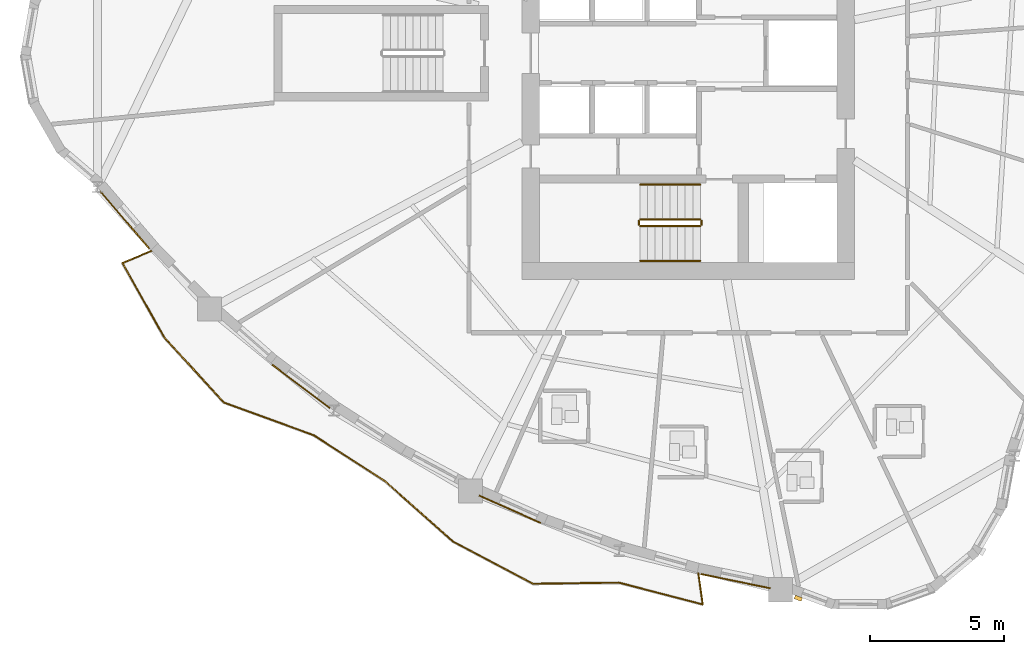
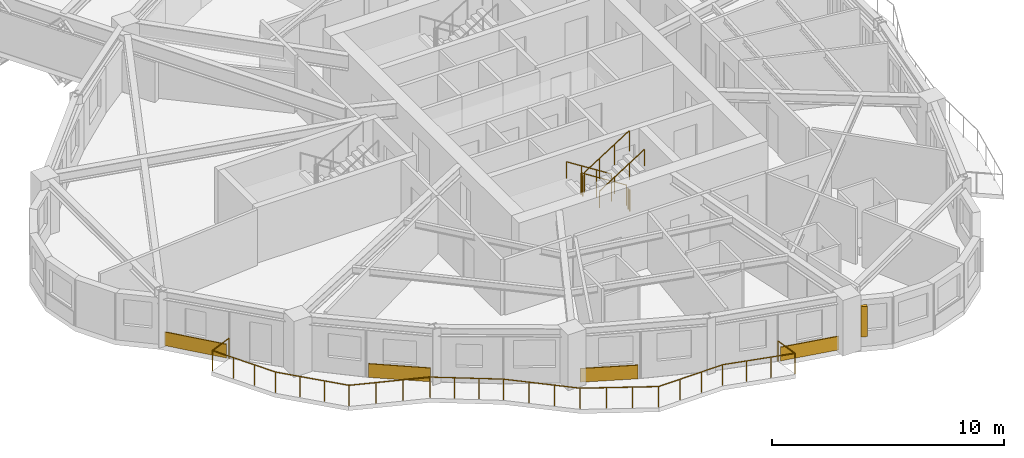
# One storey, part 11 of 14: 7 railings, 4 coverings, 1 shading device.
"""IFC4 building model written with IfcOpenShell, lengths in metres."""

from ifc_helpers import new_model, si_unit, direction, frame, origin, origin_2d, place, context, subcontext, project, spatial, rectangle, circle, extrude, source, transform, mapped, material, layer, layer_set, type_object, element, save


model = new_model("IFC4")

# Units and contexts
model_context = context("Model", 3, precision=1e-05, world=origin(), true_north=direction((0.0, 1.0)))
body_context = subcontext(model_context, "Body", "Model", "MODEL_VIEW")
ifc_project = project(units=[si_unit("LENGTHUNIT", "METRE"), si_unit("AREAUNIT", "SQUARE_METRE"), si_unit("VOLUMEUNIT", "CUBIC_METRE"), si_unit("PLANEANGLEUNIT", "RADIAN"), si_unit("MASSUNIT", "GRAM", prefix="KILO")], contexts=[model_context])

# Site, building, storey
site_placement = place(None, origin())
site = spatial("IfcSite", under=ifc_project, at=site_placement, CompositionType="ELEMENT")
building_placement = place(site_placement, origin())
building = spatial("IfcBuilding", under=site, at=building_placement, Name="Qafzar Sky-Pleat Residences", CompositionType="ELEMENT")
storey_placement = place(building_placement, frame((0.0, 0.0, 83.199951171875)))
storey = spatial("IfcBuildingStorey", under=building, at=storey_placement, Name="L24", CompositionType="ELEMENT", Elevation=83.199951171875)

# Shading device
ifc_material_1 = material(Name="Honed Riyadh limestone solar fin", Category="masonry")
ifc_layer_1 = layer(ifc_material_1, 0.139892578125)
ifc_layer_set_1 = layer_set([ifc_layer_1], Name="Honed Riyadh limestone solar fin")
shading_device_type = type_object("IfcShadingDeviceType", Name="SHD-FIN-STONE", PredefinedType="SHUTTER", material=ifc_layer_set_1)
shared_shape_1 = source(origin(), body_context, "Body", "SweptSolid", [
    extrude(rectangle(XDim=0.139892578125, YDim=0.280029296875, at=origin_2d()), origin(), (0.0, 0.0, 1.0), 1.60009765625),
])
shading_device_placement = place(storey_placement, frame((34.455810546875, 5.665283203125, 0.60009765625), z_axis=(0.0, 0.0, 1.0), x_axis=(-0.349823000797, -0.936815813334, 0.0)))
element("IfcShadingDevice", 1, at=shading_device_placement, inside=storey, type_object=shading_device_type, Name="L24 Limestone Solar Fin 17", PredefinedType="SHUTTER", context=body_context, shape_type="MappedRepresentation", body=[
    mapped(shared_shape_1, transform((0.0, 0.0, 0.0), x_axis=(1.0, 0.0, 0.0), y_axis=(0.0, 1.0, 0.0), z_axis=(0.0, 0.0, 1.0), scale=1.0)),
])

# Railing
ifc_material_2 = material(Name="Laminated glass and bronze steel balustrade", Category="steel")
railing_type_1 = type_object("IfcRailingType", Name="RAIL-BAL-1100", PredefinedType="BALUSTRADE", material=ifc_material_2)
shared_shape_2 = source(origin(), body_context, "Body", "SweptSolid", [
    extrude(circle(Radius=0.02392578125, at=origin_2d()), frame((0.0, 0.0, 1.076171875), z_axis=(-0.922855988527, -0.385145199165, 0.0), x_axis=(0.385145199165, -0.922855988527, 0.0)), (0.0, 0.0, 1.0), 1.177734375),
    extrude(circle(Radius=0.02392578125, at=origin_2d()), frame((-1.0869140625, -0.45361328125, 1.076171875), z_axis=(0.489456684431, -0.872027610839, 0.0), x_axis=(0.872027610839, 0.489456684431, 0.0)), (0.0, 0.0, 1.0), 3.17041015625),
    extrude(circle(Radius=0.02392578125, at=origin_2d()), frame((0.46484375, -3.21826171875, 1.076171875), z_axis=(0.675260283354, -0.73757952095, 0.0), x_axis=(0.73757952095, 0.675260283354, 0.0)), (0.0, 0.0, 1.0), 3.310302734375),
    extrude(circle(Radius=0.02392578125, at=origin_2d()), frame((2.7001953125, -5.659912109375, 1.076171875), z_axis=(0.939887504357, -0.341484229728, 0.0), x_axis=(0.341484229728, 0.939887504357, 0.0)), (0.0, 0.0, 1.0), 3.5595703125),
    extrude(circle(Radius=0.02392578125, at=origin_2d()), frame((6.0458984375, -6.87548828125, 1.076171875), z_axis=(0.840624110411, -0.541618966614, 0.0), x_axis=(0.541618966614, 0.840624110411, 0.0)), (0.0, 0.0, 1.0), 3.164794921875),
    extrude(circle(Radius=0.02392578125, at=origin_2d()), frame((8.706298828125, -8.589599609375, 1.076171875), z_axis=(0.747353471395, -0.664426661712, 0.0), x_axis=(0.664426661712, 0.747353471395, 0.0)), (0.0, 0.0, 1.0), 3.376708984375),
    extrude(circle(Radius=0.02392578125, at=origin_2d()), frame((11.22998046875, -10.833251953125, 1.076171875), z_axis=(0.883677346715, -0.468096514517, 0.0), x_axis=(0.468096514517, 0.883677346715, 0.0)), (0.0, 0.0, 1.0), 3.384521484375),
    extrude(circle(Radius=0.02392578125, at=origin_2d()), frame((14.220703125, -12.41748046875, 1.076171875), z_axis=(0.99991742699, 0.012850649822, 0.0), x_axis=(-0.012850649822, 0.99991742699, 0.0)), (0.0, 0.0, 1.0), 3.210693359375),
    extrude(circle(Radius=0.02392578125, at=origin_2d()), frame((17.43115234375, -12.376220703125, 1.076171875), z_axis=(0.967842378985, -0.251557407842, 0.0), x_axis=(0.251557407842, 0.967842378985, 0.0)), (0.0, 0.0, 1.0), 3.23095703125),
    extrude(circle(Radius=0.02392578125, at=origin_2d()), frame((20.55810546875, -13.18896484375, 1.076171875), z_axis=(-0.13927388454, 0.990253899303, 0.0), x_axis=(-0.990253899303, -0.13927388454, 0.0)), (0.0, 0.0, 1.0), 1.177978515625),
    extrude(circle(Radius=0.02099609375, at=origin_2d()), origin(), (0.0, 0.0, 1.0), 1.052001953125),
    extrude(circle(Radius=0.02099609375, at=origin_2d()), frame((-1.0869140625, -0.45361328125, 0.0)), (0.0, 0.0, 1.0), 1.052001953125),
    extrude(circle(Radius=0.02099609375, at=origin_2d()), frame((-0.569580078125, -1.375244140625, 0.0)), (0.0, 0.0, 1.0), 1.052001953125),
    extrude(circle(Radius=0.02099609375, at=origin_2d()), frame((-0.052490234375, -2.296630859375, 0.0)), (0.0, 0.0, 1.0), 1.052001953125),
    extrude(circle(Radius=0.02099609375, at=origin_2d()), frame((0.46484375, -3.21826171875, 0.0)), (0.0, 0.0, 1.0), 1.052001953125),
    extrude(circle(Radius=0.02099609375, at=origin_2d()), frame((1.2099609375, -4.0322265625, 0.0)), (0.0, 0.0, 1.0), 1.052001953125),
    extrude(circle(Radius=0.02099609375, at=origin_2d()), frame((1.955078125, -4.845947265625, 0.0)), (0.0, 0.0, 1.0), 1.052001953125),
    extrude(circle(Radius=0.02099609375, at=origin_2d()), frame((2.7001953125, -5.659912109375, 0.0)), (0.0, 0.0, 1.0), 1.052001953125),
    extrude(circle(Radius=0.02099609375, at=origin_2d()), frame((3.8154296875, -6.065185546875, 0.0)), (0.0, 0.0, 1.0), 1.052001953125),
    extrude(circle(Radius=0.02099609375, at=origin_2d()), frame((4.9306640625, -6.47021484375, 0.0)), (0.0, 0.0, 1.0), 1.052001953125),
    extrude(circle(Radius=0.02099609375, at=origin_2d()), frame((6.0458984375, -6.87548828125, 0.0)), (0.0, 0.0, 1.0), 1.052001953125),
    extrude(circle(Radius=0.02099609375, at=origin_2d()), frame((6.9326171875, -7.44677734375, 0.0)), (0.0, 0.0, 1.0), 1.052001953125),
    extrude(circle(Radius=0.02099609375, at=origin_2d()), frame((7.819580078125, -8.018310546875, 0.0)), (0.0, 0.0, 1.0), 1.052001953125),
    extrude(circle(Radius=0.02099609375, at=origin_2d()), frame((8.706298828125, -8.589599609375, 0.0)), (0.0, 0.0, 1.0), 1.052001953125),
    extrude(circle(Radius=0.02099609375, at=origin_2d()), frame((9.547607421875, -9.33740234375, 0.0)), (0.0, 0.0, 1.0), 1.052001953125),
    extrude(circle(Radius=0.02099609375, at=origin_2d()), frame((10.388671875, -10.08544921875, 0.0)), (0.0, 0.0, 1.0), 1.052001953125),
    extrude(circle(Radius=0.02099609375, at=origin_2d()), frame((11.22998046875, -10.833251953125, 0.0)), (0.0, 0.0, 1.0), 1.052001953125),
    extrude(circle(Radius=0.02099609375, at=origin_2d()), frame((12.226806640625, -11.361328125, 0.0)), (0.0, 0.0, 1.0), 1.052001953125),
    extrude(circle(Radius=0.02099609375, at=origin_2d()), frame((13.223876953125, -11.889404296875, 0.0)), (0.0, 0.0, 1.0), 1.052001953125),
    extrude(circle(Radius=0.02099609375, at=origin_2d()), frame((14.220703125, -12.41748046875, 0.0)), (0.0, 0.0, 1.0), 1.052001953125),
    extrude(circle(Radius=0.02099609375, at=origin_2d()), frame((15.290771484375, -12.40380859375, 0.0)), (0.0, 0.0, 1.0), 1.052001953125),
    extrude(circle(Radius=0.02099609375, at=origin_2d()), frame((16.361083984375, -12.389892578125, 0.0)), (0.0, 0.0, 1.0), 1.052001953125),
    extrude(circle(Radius=0.02099609375, at=origin_2d()), frame((17.43115234375, -12.376220703125, 0.0)), (0.0, 0.0, 1.0), 1.052001953125),
    extrude(circle(Radius=0.02099609375, at=origin_2d()), frame((18.473388671875, -12.647216796875, 0.0)), (0.0, 0.0, 1.0), 1.052001953125),
    extrude(circle(Radius=0.02099609375, at=origin_2d()), frame((19.515869140625, -12.91796875, 0.0)), (0.0, 0.0, 1.0), 1.052001953125),
    extrude(circle(Radius=0.02099609375, at=origin_2d()), frame((20.55810546875, -13.18896484375, 0.0)), (0.0, 0.0, 1.0), 1.052001953125),
    extrude(circle(Radius=0.02099609375, at=origin_2d()), frame((20.39404296875, -12.0224609375, 0.0)), (0.0, 0.0, 1.0), 1.052001953125),
])
railing_1_placement = place(storey_placement, frame((10.333251953125, 18.625732421875, 0.0)))
element("IfcRailing", 2, at=railing_1_placement, inside=storey, type_object=railing_type_1, Name="L24 Pleated Balcony 2 Balustrade", PredefinedType="BALUSTRADE", context=body_context, shape_type="MappedRepresentation", body=[
    mapped(shared_shape_2, transform((0.0, 0.0, 0.0), x_axis=(1.0, 0.0, 0.0), y_axis=(0.0, 1.0, 0.0), z_axis=(0.0, 0.0, 1.0), scale=1.0)),
])

# Coverings
ifc_material_3 = material(Name="Honed Riyadh Tuwaiq limestone cladding", Category="masonry")
ifc_layer_2 = layer(ifc_material_3, 0.044921875)
ifc_layer_set_2 = layer_set([ifc_layer_2], Name="Honed Riyadh Tuwaiq limestone cladding")
covering_type = type_object("IfcCoveringType", Name="COV-CLAD-STONE", PredefinedType="CLADDING", material=ifc_layer_set_2)
shared_shape_3 = source(origin(), body_context, "Body", "SweptSolid", [
    extrude(rectangle(XDim=2.8291015625, YDim=0.044921875, at=origin_2d()), origin(), (0.0, 0.0, 1.0), 0.719970703125),
])
covering_1_placement = place(storey_placement, frame((9.32958984375, 19.78076171875, 0.02001953125), z_axis=(0.0, 0.0, 1.0), x_axis=(0.650752076981, -0.759290283294, 0.0)))
element("IfcCovering", 3, at=covering_1_placement, inside=storey, type_object=covering_type, Name="L24 Riyadh Limestone Spandrel Cladding 7", PredefinedType="CLADDING", context=body_context, shape_type="MappedRepresentation", body=[
    mapped(shared_shape_3, transform((0.0, 0.0, 0.0), x_axis=(1.0, 0.0, 0.0), y_axis=(0.0, 1.0, 0.0), z_axis=(0.0, 0.0, 1.0), scale=1.0)),
])
shared_shape_4 = source(origin(), body_context, "Body", "SweptSolid", [
    extrude(rectangle(XDim=2.695068359375, YDim=0.044921875, at=origin_2d()), origin(), (0.0, 0.0, 1.0), 0.719970703125),
])
covering_2_placement = place(storey_placement, frame((15.90673828125, 13.568603515625, 0.02001953125), z_axis=(0.0, 0.0, 1.0), x_axis=(0.798378158073, -0.602156388916, 0.0)))
element("IfcCovering", 4, at=covering_2_placement, inside=storey, type_object=covering_type, Name="L24 Riyadh Limestone Spandrel Cladding 10", PredefinedType="CLADDING", context=body_context, shape_type="MappedRepresentation", body=[
    mapped(shared_shape_4, transform((0.0, 0.0, 0.0), x_axis=(1.0, 0.0, 0.0), y_axis=(0.0, 1.0, 0.0), z_axis=(0.0, 0.0, 1.0), scale=1.0)),
])
shared_shape_5 = source(origin(), body_context, "Body", "SweptSolid", [
    extrude(rectangle(XDim=2.510498046875, YDim=0.044921875, at=origin_2d()), origin(), (0.0, 0.0, 1.0), 0.719970703125),
])
covering_3_placement = place(storey_placement, frame((23.697265625, 8.989501953125, 0.02001953125), z_axis=(0.0, 0.0, 1.0), x_axis=(0.913437161695, -0.406979792661, 0.0)))
element("IfcCovering", 5, at=covering_3_placement, inside=storey, type_object=covering_type, Name="L24 Riyadh Limestone Spandrel Cladding 13", PredefinedType="CLADDING", context=body_context, shape_type="MappedRepresentation", body=[
    mapped(shared_shape_5, transform((0.0, 0.0, 0.0), x_axis=(1.0, 0.0, 0.0), y_axis=(0.0, 1.0, 0.0), z_axis=(0.0, 0.0, 1.0), scale=1.0)),
])
shared_shape_6 = source(origin(), body_context, "Body", "SweptSolid", [
    extrude(rectangle(XDim=2.644775390625, YDim=0.044921875, at=origin_2d()), origin(), (0.0, 0.0, 1.0), 0.719970703125),
])
covering_4_placement = place(storey_placement, frame((32.123046875, 6.304931640625, 0.02001953125), z_axis=(0.0, 0.0, 1.0), x_axis=(0.979433511732, -0.201767182901, 0.0)))
element("IfcCovering", 6, at=covering_4_placement, inside=storey, type_object=covering_type, Name="L24 Riyadh Limestone Spandrel Cladding 16", PredefinedType="CLADDING", context=body_context, shape_type="MappedRepresentation", body=[
    mapped(shared_shape_6, transform((0.0, 0.0, 0.0), x_axis=(1.0, 0.0, 0.0), y_axis=(0.0, 1.0, 0.0), z_axis=(0.0, 0.0, 1.0), scale=1.0)),
])

# Railings
ifc_material_4 = material(Name="Painted Steel S355 stair guardrail", Category="steel")
railing_type_2 = type_object("IfcRailingType", Name="RAIL-STAIR-GUARD", PredefinedType="GUARDRAIL", material=ifc_material_4)
shared_shape_7 = source(origin(), body_context, "Body", "SweptSolid", [
    extrude(circle(Radius=0.02392578125, at=origin_2d()), frame((0.0, 0.0, 1.076171875), z_axis=(0.0, -1.0, 0.0), x_axis=(1.0, 0.0, 0.0)), (0.0, 0.0, 1.0), 0.14990234375),
    extrude(circle(Radius=0.02099609375, at=origin_2d()), origin(), (0.0, 0.0, 1.0), 1.052001953125),
    extrude(circle(Radius=0.02099609375, at=origin_2d()), frame((0.0, -0.14990234375, 0.0)), (0.0, 0.0, 1.0), 1.052001953125),
])
for number, where, name in (
    (7, (28.510009765625, 19.75, 1.60009765625), "L24 ST1 stair guard 2"),
    (8, (30.85009765625, 19.75, 0.0), "L24 ST1 stair guard 4"),
):
    element("IfcRailing", number, at=place(storey_placement, frame(where)), inside=storey, type_object=railing_type_2, Name=name, PredefinedType="GUARDRAIL", context=body_context, shape_type="MappedRepresentation", body=[
        mapped(shared_shape_7, transform((0.0, 0.0, 0.0), x_axis=(1.0, 0.0, 0.0), y_axis=(0.0, 1.0, 0.0), z_axis=(0.0, 0.0, 1.0), scale=1.0)),
    ])
shared_shape_8 = source(origin(), body_context, "Body", "SweptSolid", [
    extrude(circle(Radius=0.02392578125, at=origin_2d()), frame((0.0, 0.0, 1.076171875), z_axis=(0.8442293374, 0.0, 0.53598211339), x_axis=(0.0, 1.0, 0.0)), (0.0, 0.0, 1.0), 2.6533203125),
    extrude(circle(Radius=0.02099609375, at=origin_2d()), origin(), (0.0, 0.0, 1.0), 1.052001953125),
    extrude(circle(Radius=0.02099609375, at=origin_2d()), frame((0.74658203125, 0.0, 0.47412109375)), (0.0, 0.0, 1.0), 1.052001953125),
    extrude(circle(Radius=0.02099609375, at=origin_2d()), frame((1.493408203125, 0.0, 0.947998046875)), (0.0, 0.0, 1.0), 1.052001953125),
    extrude(circle(Radius=0.02099609375, at=origin_2d()), frame((2.239990234375, 0.0, 1.422119140625)), (0.0, 0.0, 1.0), 1.052001953125),
])
railing_2_placement = place(storey_placement, frame((28.56005859375, 19.550048828125, 1.77783203125)))
element("IfcRailing", 9, at=railing_2_placement, inside=storey, type_object=railing_type_2, Name="L24 ST1 stair guard 3", PredefinedType="GUARDRAIL", context=body_context, shape_type="MappedRepresentation", body=[
    mapped(shared_shape_8, transform((0.0, 0.0, 0.0), x_axis=(1.0, 0.0, 0.0), y_axis=(0.0, 1.0, 0.0), z_axis=(0.0, 0.0, 1.0), scale=1.0)),
])
ifc_material_5 = material(Name="Brushed stainless steel handrail", Category="steel")
railing_type_3 = type_object("IfcRailingType", Name="RAIL-STAIR-HAND", PredefinedType="HANDRAIL", material=ifc_material_5)
shared_shape_9 = source(origin(), body_context, "Body", "SweptSolid", [
    extrude(circle(Radius=0.02392578125, at=origin_2d()), frame((0.0, 0.0, 0.8759765625), z_axis=(0.8442293374, 0.0, 0.53598211339), x_axis=(0.0, 1.0, 0.0)), (0.0, 0.0, 1.0), 2.6533203125),
    extrude(circle(Radius=0.02099609375, at=origin_2d()), origin(), (0.0, 0.0, 1.0), 0.851806640625),
    extrude(circle(Radius=0.02099609375, at=origin_2d()), frame((0.74658203125, 0.0, 0.47412109375)), (0.0, 0.0, 1.0), 0.851806640625),
    extrude(circle(Radius=0.02099609375, at=origin_2d()), frame((1.493408203125, 0.0, 0.947998046875)), (0.0, 0.0, 1.0), 0.851806640625),
    extrude(circle(Radius=0.02099609375, at=origin_2d()), frame((2.239990234375, 0.0, 1.422119140625)), (0.0, 0.0, 1.0), 0.851806640625),
])
railing_3_placement = place(storey_placement, frame((28.56005859375, 18.25, 1.77783203125)))
element("IfcRailing", 10, at=railing_3_placement, inside=storey, type_object=railing_type_3, Name="L24 ST1 stair handrail 2", PredefinedType="HANDRAIL", context=body_context, shape_type="MappedRepresentation", body=[
    mapped(shared_shape_9, transform((0.0, 0.0, 0.0), x_axis=(1.0, 0.0, 0.0), y_axis=(0.0, 1.0, 0.0), z_axis=(0.0, 0.0, 1.0), scale=1.0)),
])
shared_shape_10 = source(origin(), body_context, "Body", "SweptSolid", [
    extrude(circle(Radius=0.02392578125, at=origin_2d()), frame((0.0, 0.0, 1.076171875), z_axis=(-0.84418770128, 0.0, 0.536047689118), x_axis=(0.0, -1.0, 0.0)), (0.0, 0.0, 1.0), 2.6533203125),
    extrude(circle(Radius=0.02099609375, at=origin_2d()), origin(), (0.0, 0.0, 1.0), 1.052001953125),
    extrude(circle(Radius=0.02099609375, at=origin_2d()), frame((-0.74658203125, 0.0, 0.47412109375)), (0.0, 0.0, 1.0), 1.052001953125),
    extrude(circle(Radius=0.02099609375, at=origin_2d()), frame((-1.493408203125, 0.0, 0.9482421875)), (0.0, 0.0, 1.0), 1.052001953125),
    extrude(circle(Radius=0.02099609375, at=origin_2d()), frame((-2.239990234375, 0.0, 1.42236328125)), (0.0, 0.0, 1.0), 1.052001953125),
])
railing_4_placement = place(storey_placement, frame((30.800048828125, 19.800048828125, 0.177734375)))
element("IfcRailing", 11, at=railing_4_placement, inside=storey, type_object=railing_type_2, Name="L24 ST1 stair guard 1", PredefinedType="GUARDRAIL", context=body_context, shape_type="MappedRepresentation", body=[
    mapped(shared_shape_10, transform((0.0, 0.0, 0.0), x_axis=(1.0, 0.0, 0.0), y_axis=(0.0, 1.0, 0.0), z_axis=(0.0, 0.0, 1.0), scale=1.0)),
])
shared_shape_11 = source(origin(), body_context, "Body", "SweptSolid", [
    extrude(circle(Radius=0.02392578125, at=origin_2d()), frame((0.0, 0.0, 0.8759765625), z_axis=(-0.84418770128, 0.0, 0.536047689118), x_axis=(0.0, -1.0, 0.0)), (0.0, 0.0, 1.0), 2.6533203125),
    extrude(circle(Radius=0.02099609375, at=origin_2d()), origin(), (0.0, 0.0, 1.0), 0.851806640625),
    extrude(circle(Radius=0.02099609375, at=origin_2d()), frame((-0.74658203125, 0.0, 0.47412109375)), (0.0, 0.0, 1.0), 0.851806640625),
    extrude(circle(Radius=0.02099609375, at=origin_2d()), frame((-1.493408203125, 0.0, 0.9482421875)), (0.0, 0.0, 1.0), 0.851806640625),
    extrude(circle(Radius=0.02099609375, at=origin_2d()), frame((-2.239990234375, 0.0, 1.42236328125)), (0.0, 0.0, 1.0), 0.851806640625),
])
railing_5_placement = place(storey_placement, frame((30.800048828125, 21.10009765625, 0.177734375)))
element("IfcRailing", 12, at=railing_5_placement, inside=storey, type_object=railing_type_3, Name="L24 ST1 stair handrail 1", PredefinedType="HANDRAIL", context=body_context, shape_type="MappedRepresentation", body=[
    mapped(shared_shape_11, transform((0.0, 0.0, 0.0), x_axis=(1.0, 0.0, 0.0), y_axis=(0.0, 1.0, 0.0), z_axis=(0.0, 0.0, 1.0), scale=1.0)),
])

save(model, "model.ifc")
